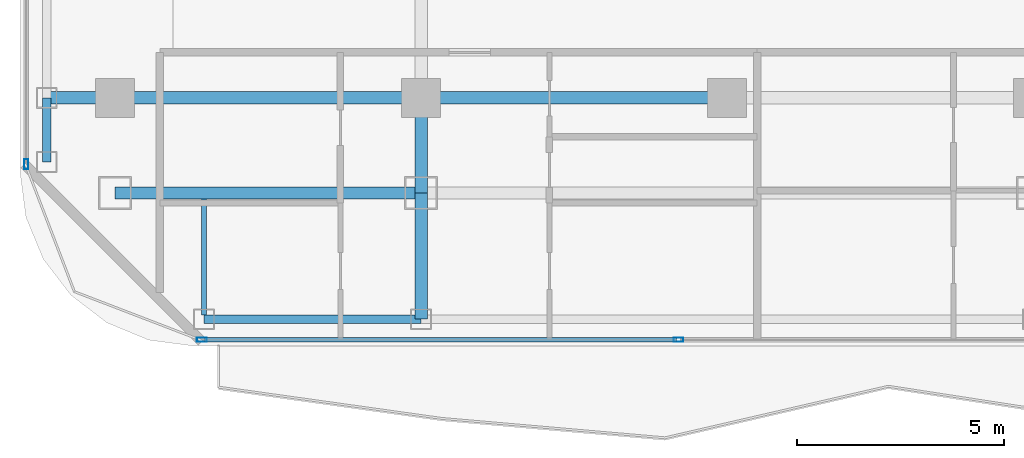
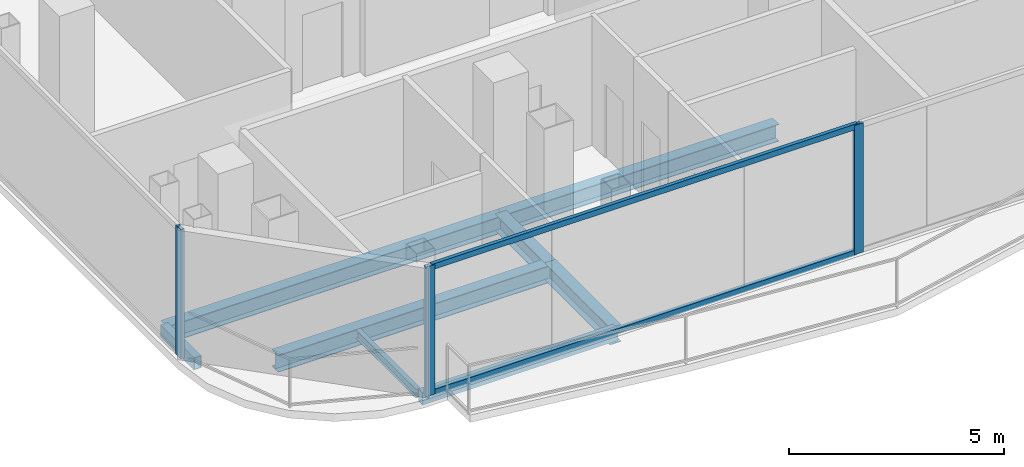
# One storey, part 2 of 22: 8 beams, 5 members, 2 elements without a shape of their own.
"""IFC4 building model written with IfcOpenShell, lengths in metres."""

from ifc_helpers import new_model, si_unit, direction, frame, origin, origin_2d, place, context, subcontext, project, spatial, hollow_rectangle, i_section, extrude, material, layer, layer_set, material_profile, profile_set, type_object, element, aggregate, save


model = new_model("IFC4")

# Units and contexts
model_context = context("Model", 3, precision=1e-05, world=origin(), true_north=direction((0.0, 1.0)))
body_context = subcontext(model_context, "Body", "Model", "MODEL_VIEW")
ifc_project = project(units=[si_unit("LENGTHUNIT", "METRE"), si_unit("AREAUNIT", "SQUARE_METRE"), si_unit("VOLUMEUNIT", "CUBIC_METRE"), si_unit("PLANEANGLEUNIT", "RADIAN"), si_unit("MASSUNIT", "GRAM", prefix="KILO")], contexts=[model_context])

# Site, building, storey
site_placement = place(None, origin())
site = spatial("IfcSite", under=ifc_project, at=site_placement, CompositionType="ELEMENT")
building_placement = place(site_placement, origin())
building = spatial("IfcBuilding", under=site, at=building_placement, Name="Khorvyn Point Tower", CompositionType="ELEMENT")
storey_placement = place(building_placement, frame((0.0, 0.0, 278.10009765625)))
storey = spatial("IfcBuildingStorey", under=building, at=storey_placement, Name="L68", CompositionType="ELEMENT", Elevation=278.10009765625)

# Curtain wall, members
ifc_material_1 = material(Name="Anodised aluminium 6063-T6 and laminated Low-E glass", Category="aluminium")
ifc_layer = layer(ifc_material_1, 0.18994140625)
ifc_layer_set = layer_set([ifc_layer], Name="Stick-Built High-Wind Curtain Wall CW-SYS-04")
curtain_wall_type = type_object("IfcCurtainWallType", Name="Stick-Built High-Wind Curtain Wall CW-SYS-04", PredefinedType="NOTDEFINED", material=ifc_layer_set)
curtain_wall_1_placement = place(storey_placement, origin())
curtain_wall_1 = element("IfcCurtainWall", 1, at=curtain_wall_1_placement, inside=storey, type_object=curtain_wall_type, Name="Curtain Wall", PredefinedType="NOTDEFINED")
ifc_material_2 = material(Name="Anodised aluminium 6063-T6", Category="aluminium")
ifc_material_profile_1 = material_profile(ifc_material_2, hollow_rectangle(XDim=0.10009765625, YDim=0.239990234375, WallThickness=0.0048828125, at=origin_2d()))
ifc_profile_set_1 = profile_set([ifc_material_profile_1], Name="Anodised aluminium 6063-T6 ALU-MUL-100x240")
member_type_1 = type_object("IfcMemberType", Name="Anodised Aluminium 6063-T6 Mullion ALU-MUL-100x240", PredefinedType="MULLION", material=ifc_profile_set_1)
member_1_placement = place(storey_placement, frame((-1.173095703125, -20.64990234375, 0.0), z_axis=(0.0, 0.0, 1.0), x_axis=(0.0, -1.0, 0.0)))
member_1 = element("IfcMember", 2, at=member_1_placement, type_object=member_type_1, Name="Transom", PredefinedType="MULLION", context=body_context, shape_type="SweptSolid", body=[
    extrude(hollow_rectangle(XDim=0.10009765625, YDim=0.239990234375, WallThickness=0.0048828125, at=origin_2d()), origin(), (0.0, 0.0, 1.0), 3.679931640625),
])
member_2_placement = place(storey_placement, frame((-12.699951171875, -20.64990234375, 0.0), z_axis=(0.0, 0.0, 1.0), x_axis=(0.0, -1.0, 0.0)))
member_2 = element("IfcMember", 3, at=member_2_placement, type_object=member_type_1, Name="Transom", PredefinedType="MULLION", context=body_context, shape_type="SweptSolid", body=[
    extrude(hollow_rectangle(XDim=0.10009765625, YDim=0.239990234375, WallThickness=0.0048828125, at=origin_2d()), origin(), (0.0, 0.0, 1.0), 3.679931640625),
])

# Curtain wall, member
curtain_wall_2_placement = place(storey_placement, origin())
curtain_wall_2 = element("IfcCurtainWall", 4, at=curtain_wall_2_placement, inside=storey, type_object=curtain_wall_type, Name="Curtain Wall", PredefinedType="NOTDEFINED")
member_3_placement = place(storey_placement, frame((-16.949951171875, -16.39990234375, 0.0), z_axis=(0.0, 0.0, 1.0), x_axis=(-1.0, 0.0, 0.0)))
member_3 = element("IfcMember", 5, at=member_3_placement, type_object=member_type_1, Name="Transom", PredefinedType="MULLION", context=body_context, shape_type="SweptSolid", body=[
    extrude(hollow_rectangle(XDim=0.10009765625, YDim=0.239990234375, WallThickness=0.0048828125, at=origin_2d()), origin(), (0.0, 0.0, 1.0), 3.679931640625),
])
aggregate(curtain_wall_2, [member_3])

# Member
ifc_material_profile_2 = material_profile(ifc_material_2, hollow_rectangle(XDim=0.10009765625, YDim=0.159912109375, WallThickness=0.00439453125, at=origin_2d()))
ifc_profile_set_2 = profile_set([ifc_material_profile_2], Name="Anodised aluminium 6063-T6 ALU-TRN-100x160")
member_type_2 = type_object("IfcMemberType", Name="Anodised Aluminium 6063-T6 Transom ALU-TRN-100x160", PredefinedType="USERDEFINED", material=ifc_profile_set_2)
member_4_placement = place(storey_placement, frame((-1.222900390625, -20.64990234375, 0.0498046875), z_axis=(-1.0, 0.0, 0.0), x_axis=(0.0, -1.0, 0.0)))
member_4 = element("IfcMember", 6, at=member_4_placement, type_object=member_type_2, Name="Transom", ObjectType="TRANSOM", PredefinedType="USERDEFINED", context=body_context, shape_type="SweptSolid", body=[
    extrude(hollow_rectangle(XDim=0.10009765625, YDim=0.159912109375, WallThickness=0.00439453125, at=origin_2d()), origin(), (0.0, 0.0, 1.0), 11.427001953125),
])

member_5_placement = place(storey_placement, frame((-1.222900390625, -20.64990234375, 3.6298828125), z_axis=(-1.0, 0.0, 0.0), x_axis=(0.0, -1.0, 0.0)))
member_5 = element("IfcMember", 7, at=member_5_placement, type_object=member_type_2, Name="Transom", ObjectType="TRANSOM", PredefinedType="USERDEFINED", context=body_context, shape_type="SweptSolid", body=[
    extrude(hollow_rectangle(XDim=0.10009765625, YDim=0.159912109375, WallThickness=0.00439453125, at=origin_2d()), origin(), (0.0, 0.0, 1.0), 11.427001953125),
])

aggregate(curtain_wall_1, [member_1, member_2, member_4, member_5])

# Beams
ifc_material_3 = material(Name="Steel S355", Category="steel")
ifc_material_profile_3 = material_profile(ifc_material_3, i_section(OverallWidth=0.125, OverallDepth=0.25, WebThickness=0.006103515625, FlangeThickness=0.009033203125, at=origin_2d()))
ifc_profile_set_3 = profile_set([ifc_material_profile_3], Name="Steel S355 H250x125x6x9")
beam_type_1 = type_object("IfcBeamType", Name="Steel S355 Joist H250x125x6x9", PredefinedType="JOIST", material=ifc_profile_set_3)
beam_1_placement = place(storey_placement, frame((-12.64990234375, -20.050048828125, -0.34521484375), z_axis=(0.0, 1.0, 0.0), x_axis=(-1.0, 0.0, 0.0)))
element("IfcBeam", 8, at=beam_1_placement, inside=storey, type_object=beam_type_1, Name="Beam", PredefinedType="JOIST", context=body_context, shape_type="SweptSolid", body=[
    extrude(i_section(OverallWidth=0.125, OverallDepth=0.25, WebThickness=0.006103515625, FlangeThickness=0.009033203125, at=origin_2d()), origin(), (0.0, 0.0, 1.0), 2.800048828125),
])
ifc_material_profile_4 = material_profile(ifc_material_3, i_section(OverallWidth=0.300048828125, OverallDepth=0.488037109375, WebThickness=0.010986328125, FlangeThickness=0.01806640625, at=origin_2d()))
ifc_profile_set_4 = profile_set([ifc_material_profile_4], Name="Steel S355 H488x300x11x18")
beam_type_2 = type_object("IfcBeamType", Name="Steel S355 Spandrel H488x300x11x18", PredefinedType="SPANDREL", material=ifc_profile_set_4)
beam_2_placement = place(storey_placement, frame((-16.449951171875, -14.800048828125, -0.464111328125), z_axis=(1.0, 0.0, 0.0), x_axis=(0.0, 1.0, 0.0)))
element("IfcBeam", 9, at=beam_2_placement, inside=storey, type_object=beam_type_2, Name="Beam", PredefinedType="SPANDREL", context=body_context, shape_type="SweptSolid", body=[
    extrude(i_section(OverallWidth=0.300048828125, OverallDepth=0.488037109375, WebThickness=0.010986328125, FlangeThickness=0.01806640625, at=origin_2d()), origin(), (0.0, 0.0, 1.0), 9.050048828125),
])
beam_3_placement = place(storey_placement, frame((-7.39990234375, -14.800048828125, -0.464111328125), z_axis=(1.0, 0.0, 0.0), x_axis=(0.0, 1.0, 0.0)))
element("IfcBeam", 10, at=beam_3_placement, inside=storey, type_object=beam_type_2, Name="Beam", PredefinedType="SPANDREL", context=body_context, shape_type="SweptSolid", body=[
    extrude(i_section(OverallWidth=0.300048828125, OverallDepth=0.488037109375, WebThickness=0.010986328125, FlangeThickness=0.01806640625, at=origin_2d()), origin(), (0.0, 0.0, 1.0), 7.39990234375),
])
beam_4_placement = place(storey_placement, frame((-14.800048828125, -17.10009765625, -0.464111328125), z_axis=(1.0, 0.0, 0.0), x_axis=(0.0, 1.0, 0.0)))
element("IfcBeam", 11, at=beam_4_placement, inside=storey, type_object=beam_type_2, Name="Beam", PredefinedType="SPANDREL", context=body_context, shape_type="SweptSolid", body=[
    extrude(i_section(OverallWidth=0.300048828125, OverallDepth=0.488037109375, WebThickness=0.010986328125, FlangeThickness=0.01806640625, at=origin_2d()), origin(), (0.0, 0.0, 1.0), 7.400146484375),
])
beam_5_placement = place(storey_placement, frame((-7.39990234375, -20.14990234375, -0.464111328125), z_axis=(0.0, 1.0, 0.0), x_axis=(-1.0, 0.0, 0.0)))
element("IfcBeam", 12, at=beam_5_placement, inside=storey, type_object=beam_type_2, Name="Beam", PredefinedType="SPANDREL", context=body_context, shape_type="SweptSolid", body=[
    extrude(i_section(OverallWidth=0.300048828125, OverallDepth=0.488037109375, WebThickness=0.010986328125, FlangeThickness=0.01806640625, at=origin_2d()), origin(), (0.0, 0.0, 1.0), 3.0498046875),
])
beam_6_placement = place(storey_placement, frame((-7.39990234375, -17.10009765625, -0.464111328125), z_axis=(0.0, 1.0, 0.0), x_axis=(-1.0, 0.0, 0.0)))
element("IfcBeam", 13, at=beam_6_placement, inside=storey, type_object=beam_type_2, Name="Beam", PredefinedType="SPANDREL", context=body_context, shape_type="SweptSolid", body=[
    extrude(i_section(OverallWidth=0.300048828125, OverallDepth=0.488037109375, WebThickness=0.010986328125, FlangeThickness=0.01806640625, at=origin_2d()), origin(), (0.0, 0.0, 1.0), 2.300048828125),
])
ifc_material_profile_5 = material_profile(ifc_material_3, hollow_rectangle(XDim=0.199951171875, YDim=0.35009765625, WallThickness=0.013916015625, at=origin_2d()))
ifc_profile_set_5 = profile_set([ifc_material_profile_5], Name="Steel S355 RHS350x200x14")
beam_type_3 = type_object("IfcBeamType", Name="Steel S355 Spandrel RHS350x200x14", PredefinedType="SPANDREL", material=ifc_profile_set_5)
beam_7_placement = place(storey_placement, frame((-12.64990234375, -20.14990234375, -0.39501953125), z_axis=(1.0, 0.0, 0.0), x_axis=(0.0, 1.0, 0.0)))
element("IfcBeam", 14, at=beam_7_placement, inside=storey, type_object=beam_type_3, Name="Beam", PredefinedType="SPANDREL", context=body_context, shape_type="SweptSolid", body=[
    extrude(hollow_rectangle(XDim=0.199951171875, YDim=0.35009765625, WallThickness=0.013916015625, at=origin_2d()), origin(), (0.0, 0.0, 1.0), 5.25),
])
beam_8_placement = place(storey_placement, frame((-16.449951171875, -16.35009765625, -0.39501953125), z_axis=(0.0, 1.0, 0.0), x_axis=(-1.0, 0.0, 0.0)))
element("IfcBeam", 15, at=beam_8_placement, inside=storey, type_object=beam_type_3, Name="Beam", PredefinedType="SPANDREL", context=body_context, shape_type="SweptSolid", body=[
    extrude(hollow_rectangle(XDim=0.199951171875, YDim=0.35009765625, WallThickness=0.013916015625, at=origin_2d()), origin(), (0.0, 0.0, 1.0), 1.550048828125),
])

save(model, "model.ifc")
